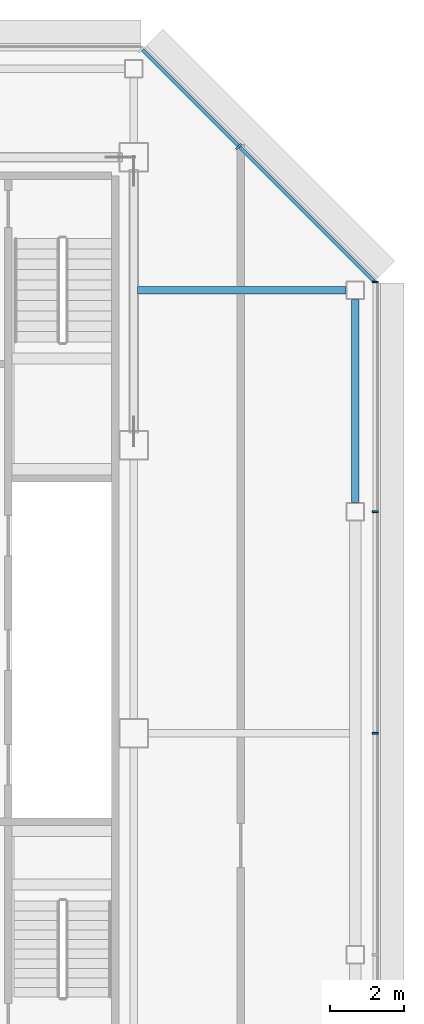
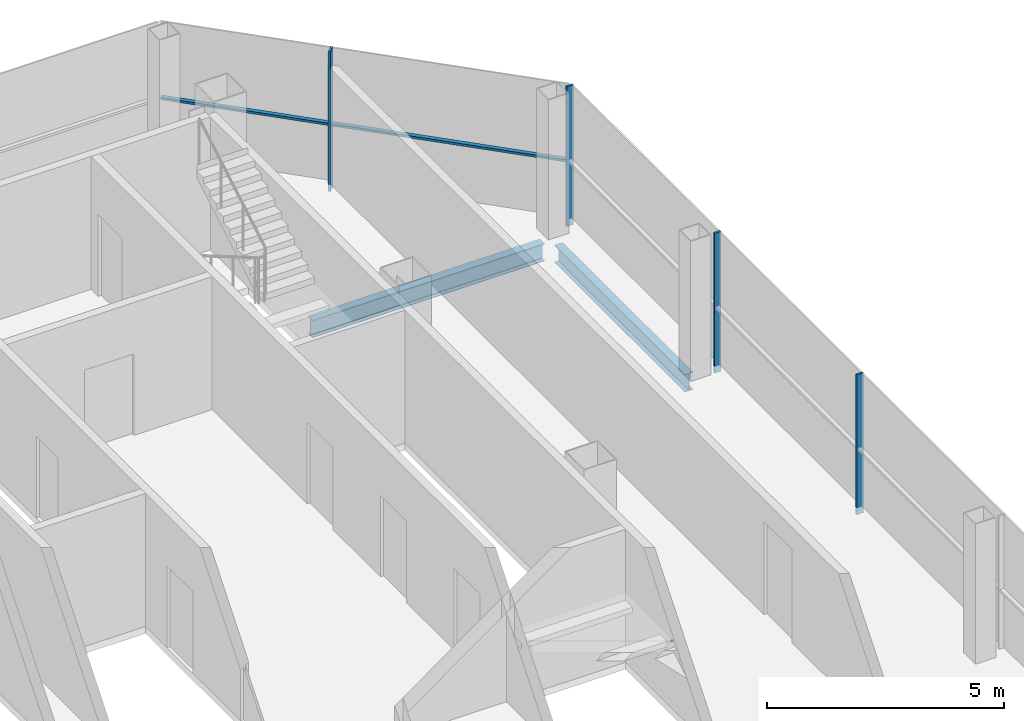
# One storey, part 19 of 27: 5 members, 2 beams, 2 elements without a shape of their own.
"""IFC4 building model written with IfcOpenShell, lengths in metres."""

from ifc_helpers import new_model, si_unit, direction, frame, origin, origin_2d, place, context, subcontext, project, spatial, rectangle, i_section, extrude, material, material_profile, profile_set, type_object, element, aggregate, save


model = new_model("IFC4")

# Units and contexts
model_context = context("Model", 3, precision=1e-05, world=origin(), true_north=direction((0.0, 1.0)))
body_context = subcontext(model_context, "Body", "Model", "MODEL_VIEW")
ifc_project = project(units=[si_unit("LENGTHUNIT", "METRE"), si_unit("AREAUNIT", "SQUARE_METRE"), si_unit("VOLUMEUNIT", "CUBIC_METRE"), si_unit("PLANEANGLEUNIT", "RADIAN"), si_unit("MASSUNIT", "GRAM", prefix="KILO")], contexts=[model_context])

# Site, building, storey
site_placement = place(None, origin())
site = spatial("IfcSite", under=ifc_project, at=site_placement, CompositionType="ELEMENT")
building_placement = place(site_placement, origin())
building = spatial("IfcBuilding", under=site, at=building_placement, Name="Sorahane Residences", CompositionType="ELEMENT")
storey_placement = place(building_placement, frame((0.0, 0.0, 312.39990234375)))
storey = spatial("IfcBuildingStorey", under=building, at=storey_placement, Name="L74", CompositionType="ELEMENT", Elevation=312.39990234375)

# Curtain wall, members
ifc_material_1 = material(Name="Dark low-e glass and black anodised aluminium", Category="aluminium")
curtain_wall_type_1 = type_object("IfcCurtainWallType", Name="Curtain wall CW-1 Typical unitised wall", PredefinedType="NOTDEFINED", material=ifc_material_1)
curtain_wall_1_placement = place(storey_placement, origin())
curtain_wall_1 = element("IfcCurtainWall", 1, at=curtain_wall_1_placement, inside=storey, type_object=curtain_wall_type_1, Name="CW-1 curtain wall L74 E1", PredefinedType="NOTDEFINED")
ifc_material_2 = material(Name="Black anodised aluminium", Category="aluminium")
ifc_material_profile_1 = material_profile(ifc_material_2, rectangle(XDim=0.159912109375, YDim=0.050048828125, at=origin_2d()), Name="Curtain wall mullion CW-1 black anodised aluminium 50x160")
ifc_profile_set_1 = profile_set([ifc_material_profile_1], Name="Black anodised aluminium")
member_type_1 = type_object("IfcMemberType", Name="Curtain wall mullion CW-1 black anodised aluminium 50x160", PredefinedType="MULLION", material=ifc_profile_set_1)
member_1_placement = place(storey_placement, frame((48.5400390625, 30.0, -0.179931640625), z_axis=(0.0, 0.0, 1.0), x_axis=(1.0, 0.0, 0.0)))
member_1 = element("IfcMember", 2, at=member_1_placement, type_object=member_type_1, Name="CW-1 mullion L74 E1.5", PredefinedType="MULLION", context=body_context, shape_type="SweptSolid", body=[
    extrude(rectangle(XDim=0.159912109375, YDim=0.050048828125, at=origin_2d()), origin(), (0.0, 0.0, 1.0), 3.60009765625),
])
member_2_placement = place(storey_placement, frame((48.5400390625, 36.0, -0.179931640625), z_axis=(0.0, 0.0, 1.0), x_axis=(1.0, 0.0, 0.0)))
member_2 = element("IfcMember", 3, at=member_2_placement, type_object=member_type_1, Name="CW-1 mullion L74 E1.6", PredefinedType="MULLION", context=body_context, shape_type="SweptSolid", body=[
    extrude(rectangle(XDim=0.159912109375, YDim=0.050048828125, at=origin_2d()), origin(), (0.0, 0.0, 1.0), 3.60009765625),
])
member_3_placement = place(storey_placement, frame((48.5400390625, 42.2236328125, -0.179931640625), z_axis=(0.0, 0.0, 1.0), x_axis=(1.0, 0.0, 0.0)))
member_3 = element("IfcMember", 4, at=member_3_placement, type_object=member_type_1, Name="CW-1 mullion L74 E1.7", PredefinedType="MULLION", context=body_context, shape_type="SweptSolid", body=[
    extrude(rectangle(XDim=0.159912109375, YDim=0.050048828125, at=origin_2d()), origin(), (0.0, 0.0, 1.0), 3.60009765625),
])
aggregate(curtain_wall_1, [member_1, member_2, member_3])

ifc_material_3 = material(Name="Dark low-e glass and black anodised aluminium", Category="aluminium")
curtain_wall_type_2 = type_object("IfcCurtainWallType", Name="Curtain wall CW-2 Chamfer unitised wall", PredefinedType="NOTDEFINED", material=ifc_material_3)
curtain_wall_2_placement = place(storey_placement, origin())
curtain_wall_2 = element("IfcCurtainWall", 5, at=curtain_wall_2_placement, inside=storey, type_object=curtain_wall_type_2, Name="CW-2 curtain wall L74 NE1", PredefinedType="NOTDEFINED")
ifc_material_4 = material(Name="Black anodised aluminium", Category="aluminium")
ifc_material_profile_2 = material_profile(ifc_material_4, rectangle(XDim=0.199951171875, YDim=0.050048828125, at=origin_2d()), Name="Curtain wall mullion CW-2 black anodised aluminium 50x200")
ifc_profile_set_2 = profile_set([ifc_material_profile_2], Name="Black anodised aluminium")
member_type_2 = type_object("IfcMemberType", Name="Curtain wall mullion CW-2 black anodised aluminium 50x200", PredefinedType="MULLION", material=ifc_profile_set_2)
member_4_placement = place(storey_placement, frame((44.84326171875, 45.89208984375, -0.179931640625), z_axis=(0.0, 0.0, 1.0), x_axis=(0.707106781187, 0.707106781187, 0.0)))
member_4 = element("IfcMember", 6, at=member_4_placement, type_object=member_type_2, Name="CW-2 mullion L74 NE1.2", PredefinedType="MULLION", context=body_context, shape_type="SweptSolid", body=[
    extrude(rectangle(XDim=0.199951171875, YDim=0.050048828125, at=origin_2d()), origin(), (0.0, 0.0, 1.0), 3.60009765625),
])
ifc_material_5 = material(Name="Black anodised aluminium", Category="aluminium")
ifc_material_profile_3 = material_profile(ifc_material_5, rectangle(XDim=0.10009765625, YDim=0.06005859375, at=origin_2d()), Name="Curtain wall transom CW-2 black anodised aluminium 60x100")
ifc_profile_set_3 = profile_set([ifc_material_profile_3], Name="Black anodised aluminium")
member_type_3 = type_object("IfcMemberType", Name="Curtain wall transom CW-2 black anodised aluminium 60x100", PredefinedType="USERDEFINED", material=ifc_profile_set_3)
member_5_placement = place(storey_placement, frame((48.51513671875, 42.234375, 1.5), z_axis=(-0.707106781187, 0.707106781187, 0.0), x_axis=(-0.707106781187, -0.707106781187, 0.0)))
member_5 = element("IfcMember", 7, at=member_5_placement, type_object=member_type_3, Name="CW-2 transom L74 NE1", ObjectType="TRANSOM", PredefinedType="USERDEFINED", context=body_context, shape_type="SweptSolid", body=[
    extrude(rectangle(XDim=0.10009765625, YDim=0.06005859375, at=origin_2d()), origin(), (0.0, 0.0, 1.0), 8.88232421875),
])
aggregate(curtain_wall_2, [member_4, member_5])

# Beams
ifc_material_6 = material(Name="Steel Q355B", Category="steel")
ifc_material_profile_4 = material_profile(ifc_material_6, i_section(OverallWidth=0.199951171875, OverallDepth=0.449951171875, WebThickness=0.009033203125, FlangeThickness=0.013916015625, FilletRadius=0.02001953125, at=origin_2d()), Name="HN 450x200x9x14")
ifc_profile_set_4 = profile_set([ifc_material_profile_4], Name="Steel Q355B")
beam_type = type_object("IfcBeamType", Name="Steel floor beam HN 450x200x9x14 Q355B", PredefinedType="BEAM", material=ifc_profile_set_4)
beam_1_placement = place(storey_placement, frame((48.0, 36.25, -0.40478515625), z_axis=(0.0, 1.0, 0.0), x_axis=(-1.0, 0.0, 0.0)))
element("IfcBeam", 8, at=beam_1_placement, inside=storey, type_object=beam_type, Name="Beam L74 065", PredefinedType="BEAM", context=body_context, shape_type="SweptSolid", body=[
    extrude(i_section(OverallWidth=0.199951171875, OverallDepth=0.449951171875, WebThickness=0.009033203125, FlangeThickness=0.013916015625, FilletRadius=0.02001953125, at=origin_2d()), origin(), (0.0, 0.0, 1.0), 5.5),
])
beam_2_placement = place(storey_placement, frame((42.10009765625, 42.0, -0.40478515625), z_axis=(1.0, 0.0, 0.0), x_axis=(0.0, 1.0, 0.0)))
element("IfcBeam", 9, at=beam_2_placement, inside=storey, type_object=beam_type, Name="Beam L74 090", PredefinedType="BEAM", context=body_context, shape_type="SweptSolid", body=[
    extrude(i_section(OverallWidth=0.199951171875, OverallDepth=0.449951171875, WebThickness=0.009033203125, FlangeThickness=0.013916015625, FilletRadius=0.02001953125, at=origin_2d()), origin(), (0.0, 0.0, 1.0), 5.64990234375),
])

save(model, "model.ifc")
